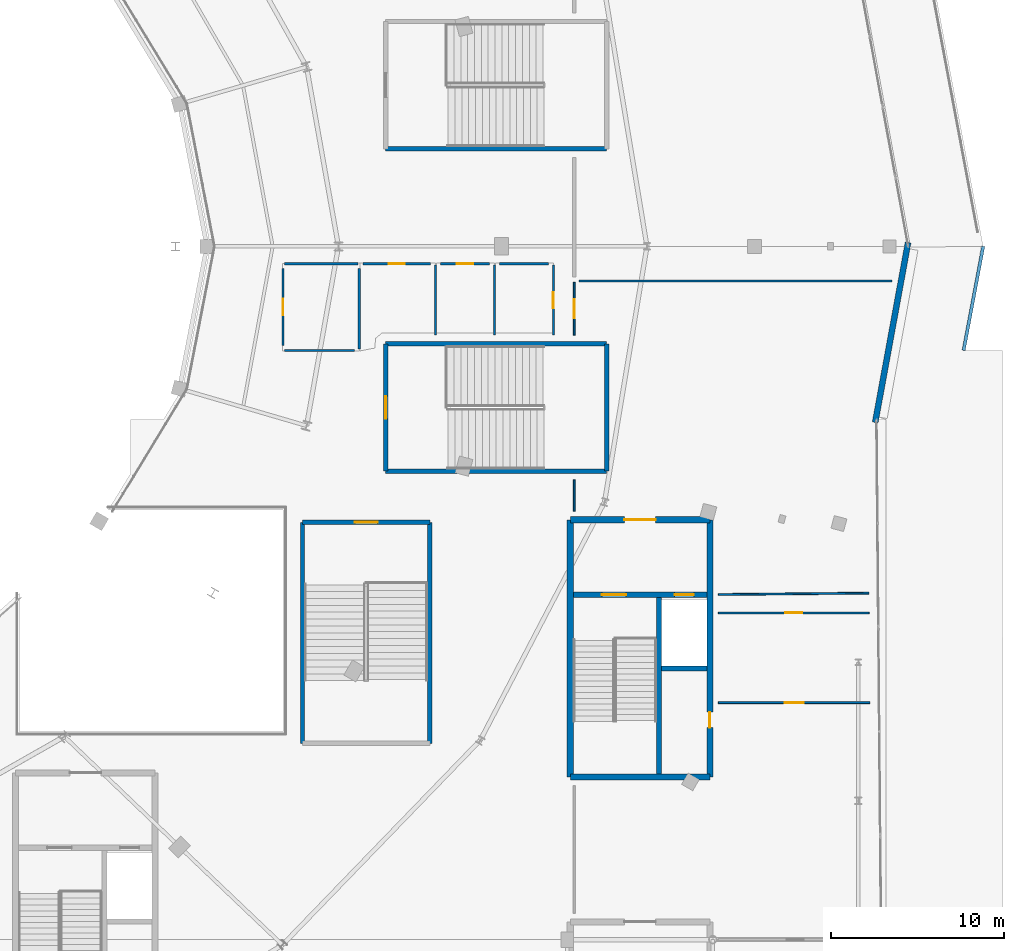
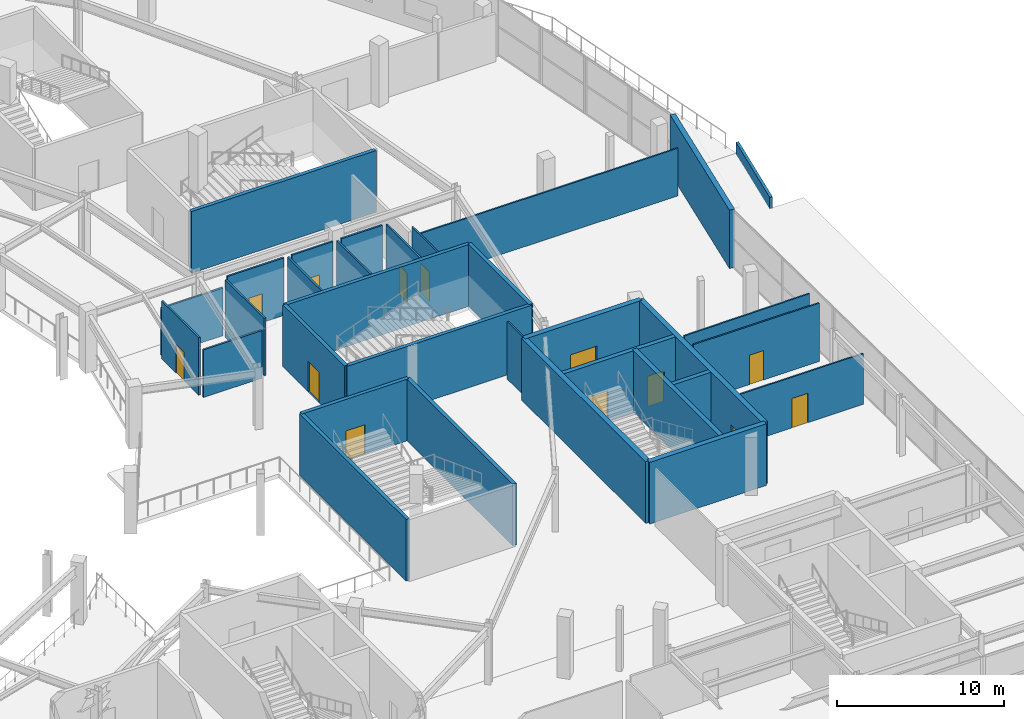
# One storey, part 81 of 107: 33 walls, 13 doors, 13 openings.
"""IFC4 building model written with IfcOpenShell, lengths in metres."""

from ifc_helpers import new_model, si_unit, direction, frame, frame_2d, origin, place, context, subcontext, project, spatial, rectangle, extrude, material, layer, layer_set, type_object, element, fill, save


model = new_model("IFC4")

# Units and contexts
model_context = context("Model", 3, precision=1e-05, world=origin(), true_north=direction((0.0, 1.0)))
body_context = subcontext(model_context, "Body", "Model", "MODEL_VIEW")
ifc_project = project(units=[si_unit("LENGTHUNIT", "METRE"), si_unit("AREAUNIT", "SQUARE_METRE"), si_unit("VOLUMEUNIT", "CUBIC_METRE"), si_unit("PLANEANGLEUNIT", "RADIAN"), si_unit("MASSUNIT", "GRAM", prefix="KILO")], contexts=[model_context])

# Site, building, storey
site_placement = place(None, origin())
site = spatial("IfcSite", under=ifc_project, at=site_placement, CompositionType="ELEMENT")
building_placement = place(site_placement, origin())
building = spatial("IfcBuilding", under=site, at=building_placement, Name="Kalgoora Escarpment Arena", CompositionType="ELEMENT")
storey_placement = place(building_placement, frame((0.0, 0.0, 5.39990234375)))
storey = spatial("IfcBuildingStorey", under=building, at=storey_placement, Name="L01", CompositionType="ELEMENT", Elevation=5.39990234375)

# Wall
ifc_material_1 = material(Name="Concrete N50 (fc' 50 MPa)", Category="concrete")
ifc_layer_1 = layer(ifc_material_1, 0.35009765625)
ifc_layer_set_1 = layer_set([ifc_layer_1], Name="WAL-CORE-350")
wall_type_1 = type_object("IfcWallType", Name="WAL-CORE-350", PredefinedType="SHEAR", material=ifc_layer_set_1)
wall_1_placement = place(storey_placement, frame((159.77490234375, 33.375, 0.0), z_axis=(0.0, 0.0, 1.0), x_axis=(1.0, 0.0, 0.0)))
element("IfcWall", 1, at=wall_1_placement, inside=storey, type_object=wall_type_1, Name="Core C7 L01 south shear wall", PredefinedType="SHEAR", context=body_context, shape_type="SweptSolid", body=[
    extrude(rectangle(XDim=8.050048828125, YDim=0.35009765625, at=frame_2d((4.02490234375, 0.0))), origin(), (0.0, 0.0, 1.0), 4.5),
])

# Wall, opening, door
wall_2_placement = place(storey_placement, frame((159.77490234375, 48.22509765625, 0.0), z_axis=(0.0, 0.0, 1.0), x_axis=(1.0, 0.0, 0.0)))
wall_2 = element("IfcWall", 2, at=wall_2_placement, inside=storey, type_object=wall_type_1, Name="Core C7 L01 north lobby wall", PredefinedType="SHEAR", context=body_context, shape_type="SweptSolid", body=[
    extrude(rectangle(XDim=8.050048828125, YDim=0.35009765625, at=frame_2d((4.02490234375, 0.0))), origin(), (0.0, 0.0, 1.0), 4.5),
])
opening_1_placement = place(wall_2_placement, frame((3.125, 0.0, 0.0)))
opening_1 = element("IfcOpeningElement", 3, at=opening_1_placement, cuts=wall_2, Name="Opening FD-C7L", PredefinedType="OPENING", context=body_context, shape_type="SweptSolid", body=[
    extrude(rectangle(XDim=1.800048828125, YDim=2.25, at=frame_2d((0.89990234375, 1.125))), frame((0.0, 0.18505859375, 0.0), z_axis=(0.0, -1.0, 0.0), x_axis=(1.0, 0.0, 0.0)), (0.0, 0.0, 1.0), 0.3701171875),
])
ifc_material_2 = material(Name="Double fire-rated smoke-seal lobby door")
door_type_1 = type_object("IfcDoorType", Name="DR-LOBBY-1800", OperationType="NOTDEFINED", PredefinedType="DOOR", material=ifc_material_2)
door_1_placement = place(opening_1_placement, origin())
door_1 = element("IfcDoor", 4, at=door_1_placement, inside=storey, type_object=door_type_1, Name="Core C7 L01 smoke-lobby fire door", OperationType="DOUBLE_DOOR_SINGLE_SWING", OverallHeight=2.25, OverallWidth=1.800048828125, PredefinedType="DOOR", context=body_context, shape_type="SweptSolid", body=[
    extrude(rectangle(XDim=1.800048828125, YDim=2.25, at=frame_2d((0.89990234375, 1.125))), frame((0.0, 0.02490234375, 0.0), z_axis=(0.0, -1.0, 0.0), x_axis=(1.0, 0.0, 0.0)), (0.0, 0.0, 1.0), 0.050048828125),
])
fill(opening_1, door_1)

# Wall
wall_3_placement = place(storey_placement, frame((159.77490234375, 33.375, 0.0), z_axis=(0.0, 0.0, 1.0), x_axis=(0.0, 1.0, 0.0)))
element("IfcWall", 5, at=wall_3_placement, inside=storey, type_object=wall_type_1, Name="Core C7 L01 west shear wall", PredefinedType="SHEAR", context=body_context, shape_type="SweptSolid", body=[
    extrude(rectangle(XDim=14.85009765625, YDim=0.35009765625, at=frame_2d((7.425048828125, 0.0))), origin(), (0.0, 0.0, 1.0), 4.5),
])

# Wall, opening, door
wall_4_placement = place(storey_placement, frame((167.824951171875, 33.375, 0.0), z_axis=(0.0, 0.0, 1.0), x_axis=(0.0, 1.0, 0.0)))
wall_4 = element("IfcWall", 6, at=wall_4_placement, inside=storey, type_object=wall_type_1, Name="Core C7 L01 east shear wall", PredefinedType="SHEAR", context=body_context, shape_type="SweptSolid", body=[
    extrude(rectangle(XDim=14.85009765625, YDim=0.35009765625, at=frame_2d((7.425048828125, 0.0))), origin(), (0.0, 0.0, 1.0), 4.5),
])
opening_2_placement = place(wall_4_placement, frame((2.85498046875, 0.0, 0.0)))
opening_2 = element("IfcOpeningElement", 7, at=opening_2_placement, cuts=wall_4, Name="Opening FD-C7R", PredefinedType="OPENING", context=body_context, shape_type="SweptSolid", body=[
    extrude(rectangle(XDim=0.89990234375, YDim=2.10009765625, at=frame_2d((0.449951171875, 1.050048828125))), frame((0.0, 0.18505859375, 0.0), z_axis=(0.0, -1.0, 0.0), x_axis=(1.0, 0.0, 0.0)), (0.0, 0.0, 1.0), 0.3701171875),
])
ifc_material_3 = material(Name="Fire-rated steel riser access door", Category="steel")
door_type_2 = type_object("IfcDoorType", Name="DR-RISER-0900", OperationType="NOTDEFINED", PredefinedType="DOOR", material=ifc_material_3)
door_2_placement = place(opening_2_placement, origin())
door_2 = element("IfcDoor", 8, at=door_2_placement, inside=storey, type_object=door_type_2, Name="Core C7 L01 riser cupboard access door", OperationType="SINGLE_SWING_RIGHT", OverallHeight=2.10009765625, OverallWidth=0.89990234375, PredefinedType="DOOR", context=body_context, shape_type="SweptSolid", body=[
    extrude(rectangle(XDim=0.89990234375, YDim=2.10009765625, at=frame_2d((0.449951171875, 1.050048828125))), frame((0.0, 0.02490234375, 0.0), z_axis=(0.0, -1.0, 0.0), x_axis=(1.0, 0.0, 0.0)), (0.0, 0.0, 1.0), 0.050048828125),
])
fill(opening_2, door_2)

# Wall
ifc_material_4 = material(Name="Fluted Art Deco precast concrete 40 MPa", Category="concrete")
ifc_layer_2 = layer(ifc_material_4, 0.340087890625)
ifc_layer_set_2 = layer_set([ifc_layer_2], Name="WAL-EXT-340")
wall_type_2 = type_object("IfcWallType", Name="WAL-EXT-340", PredefinedType="SOLIDWALL", material=ifc_layer_set_2)
wall_5_placement = place(storey_placement, frame((179.268310546875, 64.224609375, 0.0), z_axis=(0.0, 0.0, 1.0), x_axis=(-0.179977817545, -0.983670669072, 0.0)))
element("IfcWall", 9, at=wall_5_placement, inside=storey, type_object=wall_type_2, Name="L01 limestone-faced external wall 039", PredefinedType="SOLIDWALL", context=body_context, shape_type="SweptSolid", body=[
    extrude(rectangle(XDim=10.560302734375, YDim=0.340087890625, at=frame_2d((5.2802734375, 0.0))), origin(), (0.0, 0.0, 1.0), 4.260009765625),
])

# Wall, opening, door
ifc_material_5 = material(Name="Framed acoustic studio partition", Category="gypsum")
ifc_layer_3 = layer(ifc_material_5, 0.10498046875)
ifc_layer_set_3 = layer_set([ifc_layer_3], Name="WAL-GLZ-105")
wall_type_3 = type_object("IfcWallType", Name="WAL-GLZ-105", PredefinedType="PARTITIONING", material=ifc_layer_set_3)
wall_6_placement = place(storey_placement, frame((168.324951171875, 37.675048828125, 0.0), z_axis=(0.0, 0.0, 1.0), x_axis=(1.0, 0.0, 0.0)))
wall_6 = element("IfcWall", 10, at=wall_6_placement, inside=storey, type_object=wall_type_3, Name="L01 Community Room partition wall", PredefinedType="PARTITIONING", context=body_context, shape_type="SweptSolid", body=[
    extrude(rectangle(XDim=8.741455078125, YDim=0.10498046875, at=frame_2d((4.37060546875, 0.0))), origin(), (0.0, 0.0, 1.0), 3.7021484375),
])
opening_3_placement = place(wall_6_placement, frame((3.830810546875, 0.0, 0.0)))
opening_3 = element("IfcOpeningElement", 11, at=opening_3_placement, cuts=wall_6, Name="Opening FD-I061", PredefinedType="OPENING", context=body_context, shape_type="SweptSolid", body=[
    extrude(rectangle(XDim=1.080078125, YDim=2.14990234375, at=frame_2d((0.5400390625, 1.074951171875))), frame((0.0, 0.0625, 0.0), z_axis=(0.0, -1.0, 0.0), x_axis=(1.0, 0.0, 0.0)), (0.0, 0.0, 1.0), 0.125),
])
ifc_material_6 = material(Name="Solid-core acoustic timber door", Category="wood")
door_type_3 = type_object("IfcDoorType", Name="DR-GEN-1080", OperationType="NOTDEFINED", PredefinedType="DOOR", material=ifc_material_6)
door_3_placement = place(opening_3_placement, origin())
door_3 = element("IfcDoor", 12, at=door_3_placement, inside=storey, type_object=door_type_3, Name="Community Room 2 entrance door", OperationType="SINGLE_SWING_RIGHT", OverallHeight=2.14990234375, OverallWidth=1.080078125, PredefinedType="DOOR", context=body_context, shape_type="SweptSolid", body=[
    extrude(rectangle(XDim=1.080078125, YDim=2.14990234375, at=frame_2d((0.5400390625, 1.074951171875))), frame((0.0, 0.02490234375, 0.0), z_axis=(0.0, -1.0, 0.0), x_axis=(1.0, 0.0, 0.0)), (0.0, 0.0, 1.0), 0.050048828125),
])
fill(opening_3, door_3)

wall_7_placement = place(storey_placement, frame((168.324951171875, 42.85009765625, 0.0), z_axis=(0.0, 0.0, 1.0), x_axis=(1.0, 0.0, 0.0)))
wall_7 = element("IfcWall", 13, at=wall_7_placement, inside=storey, type_object=wall_type_3, Name="L01 Community Room 2 partition wall", PredefinedType="PARTITIONING", context=body_context, shape_type="SweptSolid", body=[
    extrude(rectangle(XDim=8.695068359375, YDim=0.10498046875, at=frame_2d((4.34765625, 0.0))), origin(), (0.0, 0.0, 1.0), 4.260009765625),
])
opening_4_placement = place(wall_7_placement, frame((3.857666015625, 0.0, 0.0)))
opening_4 = element("IfcOpeningElement", 14, at=opening_4_placement, cuts=wall_7, Name="Opening D-I062", PredefinedType="OPENING", context=body_context, shape_type="SweptSolid", body=[
    extrude(rectangle(XDim=0.97998046875, YDim=2.14990234375, at=frame_2d((0.489990234375, 1.074951171875))), frame((0.0, 0.0625, 0.0), z_axis=(0.0, -1.0, 0.0), x_axis=(1.0, 0.0, 0.0)), (0.0, 0.0, 1.0), 0.125),
])
ifc_material_7 = material(Name="Solid-core acoustic timber door", Category="wood")
door_type_4 = type_object("IfcDoorType", Name="DR-GEN-0980", OperationType="NOTDEFINED", PredefinedType="DOOR", material=ifc_material_7)
door_4_placement = place(opening_4_placement, origin())
door_4 = element("IfcDoor", 15, at=door_4_placement, inside=storey, type_object=door_type_4, Name="Community Room 3 entrance door", OperationType="SINGLE_SWING_LEFT", OverallHeight=2.14990234375, OverallWidth=0.97998046875, PredefinedType="DOOR", context=body_context, shape_type="SweptSolid", body=[
    extrude(rectangle(XDim=0.97998046875, YDim=2.14990234375, at=frame_2d((0.489990234375, 1.074951171875))), frame((0.0, 0.02490234375, 0.0), z_axis=(0.0, -1.0, 0.0), x_axis=(1.0, 0.0, 0.0)), (0.0, 0.0, 1.0), 0.050048828125),
])
fill(opening_4, door_4)

# Wall
wall_8_placement = place(storey_placement, frame((168.324951171875, 43.90966796875, 0.0), z_axis=(0.0, 0.0, 1.0), x_axis=(0.999954329824, 0.00955710553, 0.0)))
element("IfcWall", 16, at=wall_8_placement, inside=storey, type_object=wall_type_3, Name="L01 Community Room 3 partition wall", PredefinedType="PARTITIONING", context=body_context, shape_type="SweptSolid", body=[
    extrude(rectangle(XDim=8.685546875, YDim=0.10498046875, at=frame_2d((4.3427734375, 0.0))), origin(), (0.0, 0.0, 1.0), 4.260009765625),
])

# Wall, opening, door
wall_9_placement = place(storey_placement, frame((160.0, 58.875, 0.0), z_axis=(0.0, 0.0, 1.0), x_axis=(0.0, 1.0, 0.0)))
wall_9 = element("IfcWall", 17, at=wall_9_placement, inside=storey, type_object=wall_type_3, Name="L01 Youth Sports Classroom partition wall", PredefinedType="PARTITIONING", context=body_context, shape_type="SweptSolid", body=[
    extrude(rectangle(XDim=3.044921875, YDim=0.10498046875, at=frame_2d((1.5224609375, 0.0))), origin(), (0.0, 0.0, 1.0), 4.2001953125),
])
opening_5_placement = place(wall_9_placement, frame((0.982421875, 0.0, 0.0)))
opening_5 = element("IfcOpeningElement", 18, at=opening_5_placement, cuts=wall_9, Name="Opening FD-I063", PredefinedType="OPENING", context=body_context, shape_type="SweptSolid", body=[
    extrude(rectangle(XDim=1.080078125, YDim=2.14990234375, at=frame_2d((0.5400390625, 1.074951171875))), frame((0.0, 0.0625, 0.0), z_axis=(0.0, -1.0, 0.0), x_axis=(1.0, 0.0, 0.0)), (0.0, 0.0, 1.0), 0.125),
])
door_5_placement = place(opening_5_placement, origin())
door_5 = element("IfcDoor", 19, at=door_5_placement, inside=storey, type_object=door_type_3, Name="Youth Sports Classroom entrance door", OperationType="SINGLE_SWING_RIGHT", OverallHeight=2.14990234375, OverallWidth=1.080078125, PredefinedType="DOOR", context=body_context, shape_type="SweptSolid", body=[
    extrude(rectangle(XDim=1.080078125, YDim=2.14990234375, at=frame_2d((0.5400390625, 1.074951171875))), frame((0.0, 0.02490234375, 0.0), z_axis=(0.0, -1.0, 0.0), x_axis=(1.0, 0.0, 0.0)), (0.0, 0.0, 1.0), 0.050048828125),
])
fill(opening_5, door_5)

# Walls
wall_10_placement = place(storey_placement, frame((160.284912109375, 62.0, 0.0), z_axis=(0.0, 0.0, 1.0), x_axis=(1.0, 0.0, 0.0)))
element("IfcWall", 20, at=wall_10_placement, inside=storey, type_object=wall_type_3, Name="L01 Youth Sports Classroom partition wall", PredefinedType="PARTITIONING", context=body_context, shape_type="SweptSolid", body=[
    extrude(rectangle(XDim=18.038818359375, YDim=0.10498046875, at=frame_2d((9.01953125, 0.0))), origin(), (0.0, 0.0, 1.0), 3.47509765625),
])
wall_11_placement = place(storey_placement, frame((160.0, 48.72509765625, 0.0), z_axis=(0.0, 0.0, 1.0), x_axis=(0.0, 1.0, 0.0)))
element("IfcWall", 21, at=wall_11_placement, inside=storey, type_object=wall_type_3, Name="L01 Youth Sports Classroom partition wall", PredefinedType="PARTITIONING", context=body_context, shape_type="SweptSolid", body=[
    extrude(rectangle(XDim=1.7998046875, YDim=0.10498046875, at=frame_2d((0.89990234375, 0.0))), origin(), (0.0, 0.0, 1.0), 4.2001953125),
])
ifc_material_8 = material(Name="Stepped ziggurat roof parapet Concrete N40 (fc' 40 MPa)", Category="concrete")
ifc_layer_4 = layer(ifc_material_8, 0.18505859375)
ifc_layer_set_4 = layer_set([ifc_layer_4], Name="WAL-PAR-185")
wall_type_4 = type_object("IfcWallType", Name="WAL-PAR-185", PredefinedType="PARAPET", material=ifc_layer_set_4)
wall_12_placement = place(storey_placement, frame((183.60009765625, 64.0, 0.0), z_axis=(0.0, 0.0, 1.0), x_axis=(-0.184983824946, -0.982741565473, 0.0)))
element("IfcWall", 22, at=wall_12_placement, inside=storey, type_object=wall_type_4, Name="L01 stepped ziggurat limestone parapet 002", PredefinedType="PARAPET", context=body_context, shape_type="SweptSolid", body=[
    extrude(rectangle(XDim=6.10546875, YDim=0.18505859375, at=frame_2d((3.052734375, 0.0))), origin(), (0.0, 0.0, 1.0), 0.85009765625),
])

# Wall, openings, doors
ifc_material_9 = material(Name="Concrete N50 (fc' 50 MPa)", Category="concrete")
ifc_layer_5 = layer(ifc_material_9, 0.300048828125)
ifc_layer_set_5 = layer_set([ifc_layer_5], Name="WAL-SHAFT-300")
wall_type_5 = type_object("IfcWallType", Name="WAL-SHAFT-300", PredefinedType="SHEAR", material=ifc_layer_set_5)
wall_13_placement = place(storey_placement, frame((159.949951171875, 43.89990234375, 0.0), z_axis=(0.0, 0.0, 1.0), x_axis=(1.0, 0.0, 0.0)))
wall_13 = element("IfcWall", 23, at=wall_13_placement, inside=storey, type_object=wall_type_5, Name="Core C7 L01 lobby shaft wall", PredefinedType="SHEAR", context=body_context, shape_type="SweptSolid", body=[
    extrude(rectangle(XDim=7.699951171875, YDim=0.300048828125, at=frame_2d((3.85009765625, 0.0))), origin(), (0.0, 0.0, 1.0), 4.5),
])
opening_6_placement = place(wall_13_placement, frame((1.64990234375, 0.0, 0.0)))
opening_6 = element("IfcOpeningElement", 24, at=opening_6_placement, cuts=wall_13, Name="Opening FD-ST07", PredefinedType="OPENING", context=body_context, shape_type="SweptSolid", body=[
    extrude(rectangle(XDim=1.39990234375, YDim=2.199951171875, at=frame_2d((0.699951171875, 1.10009765625))), frame((0.0, 0.159912109375, 0.0), z_axis=(0.0, -1.0, 0.0), x_axis=(1.0, 0.0, 0.0)), (0.0, 0.0, 1.0), 0.320068359375),
])
opening_7_placement = place(wall_13_placement, frame((5.85009765625, 0.0, 0.0)))
opening_7 = element("IfcOpeningElement", 25, at=opening_7_placement, cuts=wall_13, Name="Opening LD-GL1", PredefinedType="OPENING", context=body_context, shape_type="SweptSolid", body=[
    extrude(rectangle(XDim=1.10009765625, YDim=2.199951171875, at=frame_2d((0.550048828125, 1.10009765625))), frame((0.0, 0.159912109375, 0.0), z_axis=(0.0, -1.0, 0.0), x_axis=(1.0, 0.0, 0.0)), (0.0, 0.0, 1.0), 0.320068359375),
])
ifc_material_10 = material(Name="Brushed stainless steel sliding lift landing door", Category="steel")
door_type_5 = type_object("IfcDoorType", Name="DR-LD-GL1", OperationType="SLIDING_TO_LEFT", PredefinedType="DOOR", material=ifc_material_10)
door_6_placement = place(opening_7_placement, origin())
door_6 = element("IfcDoor", 26, at=door_6_placement, inside=storey, type_object=door_type_5, Name="Lift GL1 L01 sliding landing door", OperationType="SLIDING_TO_LEFT", OverallHeight=2.199951171875, OverallWidth=1.10009765625, PredefinedType="DOOR", context=body_context, shape_type="SweptSolid", body=[
    extrude(rectangle(XDim=1.10009765625, YDim=2.199951171875, at=frame_2d((0.550048828125, 1.10009765625))), frame((0.0, 0.02490234375, 0.0), z_axis=(0.0, -1.0, 0.0), x_axis=(1.0, 0.0, 0.0)), (0.0, 0.0, 1.0), 0.050048828125),
])
fill(opening_7, door_6)
ifc_material_11 = material(Name="Fire-rated steel stair leaf with vision panel", Category="steel")
door_type_6 = type_object("IfcDoorType", Name="DR-STAIR-1400", OperationType="NOTDEFINED", PredefinedType="DOOR", material=ifc_material_11)
door_7_placement = place(opening_6_placement, origin())
door_7 = element("IfcDoor", 27, at=door_7_placement, inside=storey, type_object=door_type_6, Name="Fire stair ST07 L01 fire door", OperationType="SINGLE_SWING_LEFT", OverallHeight=2.199951171875, OverallWidth=1.39990234375, PredefinedType="DOOR", context=body_context, shape_type="SweptSolid", body=[
    extrude(rectangle(XDim=1.39990234375, YDim=2.199951171875, at=frame_2d((0.699951171875, 1.10009765625))), frame((0.0, 0.02490234375, 0.0), z_axis=(0.0, -1.0, 0.0), x_axis=(1.0, 0.0, 0.0)), (0.0, 0.0, 1.0), 0.050048828125),
])
fill(opening_6, door_7)

# Walls
wall_14_placement = place(storey_placement, frame((164.89990234375, 33.550048828125, 0.0), z_axis=(0.0, 0.0, 1.0), x_axis=(0.0, 1.0, 0.0)))
element("IfcWall", 28, at=wall_14_placement, inside=storey, type_object=wall_type_5, Name="Core C7 L01 stair-lift spine wall", PredefinedType="SHEAR", context=body_context, shape_type="SweptSolid", body=[
    extrude(rectangle(XDim=10.349853515625, YDim=0.300048828125, at=frame_2d((5.1748046875, 0.0))), origin(), (0.0, 0.0, 1.0), 4.5),
])
wall_15_placement = place(storey_placement, frame((165.050048828125, 39.64990234375, 0.0), z_axis=(0.0, 0.0, 1.0), x_axis=(1.0, 0.0, 0.0)))
element("IfcWall", 29, at=wall_15_placement, inside=storey, type_object=wall_type_5, Name="Core C7 L01 lift-riser divider wall", PredefinedType="SHEAR", context=body_context, shape_type="SweptSolid", body=[
    extrude(rectangle(XDim=2.599853515625, YDim=0.300048828125, at=frame_2d((1.2998046875, 0.0))), origin(), (0.0, 0.0, 1.0), 4.5),
])
ifc_material_12 = material(Name="Concrete N50 (fc' 50 MPa)", Category="concrete")
ifc_layer_6 = layer(ifc_material_12, 0.25)
ifc_layer_set_6 = layer_set([ifc_layer_6], Name="WAL-STAIR-250")
wall_type_6 = type_object("IfcWallType", Name="WAL-STAIR-250", PredefinedType="SHEAR", material=ifc_layer_set_6)
for number, where, z_axis, x_axis, name in (
    (30, (149.125, 69.625, 0.0), (0.0, 0.0, 1.0), (1.0, 0.0, 0.0), "Exit stair ST21 L01 south wall"),
    (31, (149.125, 51.02490234375, 0.0), (0.0, 0.0, 1.0), (1.0, 0.0, 0.0), "Exit stair ST22 L01 south wall"),
    (32, (149.125, 58.375, 0.0), (0.0, 0.0, 1.0), (1.0, 0.0, 0.0), "Exit stair ST22 L01 north wall"),
):
    element("IfcWall", number, at=place(storey_placement, frame(where, z_axis=z_axis, x_axis=x_axis)), inside=storey, type_object=wall_type_6, Name=name, PredefinedType="SHEAR", context=body_context, shape_type="SweptSolid", body=[
        extrude(rectangle(XDim=12.75, YDim=0.25, at=frame_2d((6.375, 0.0))), origin(), (0.0, 0.0, 1.0), 4.5),
    ])

# Wall, opening, door
wall_16_placement = place(storey_placement, frame((149.125, 51.02490234375, 0.0), z_axis=(0.0, 0.0, 1.0), x_axis=(0.0, 1.0, 0.0)))
wall_16 = element("IfcWall", 33, at=wall_16_placement, inside=storey, type_object=wall_type_6, Name="Exit stair ST22 L01 west wall", PredefinedType="SHEAR", context=body_context, shape_type="SweptSolid", body=[
    extrude(rectangle(XDim=7.35009765625, YDim=0.25, at=frame_2d((3.675048828125, 0.0))), origin(), (0.0, 0.0, 1.0), 4.5),
])
opening_8_placement = place(wall_16_placement, frame((3.014892578125, 0.0, 0.0)))
opening_8 = element("IfcOpeningElement", 34, at=opening_8_placement, cuts=wall_16, Name="Opening FD-ST22", PredefinedType="OPENING", context=body_context, shape_type="SweptSolid", body=[
    extrude(rectangle(XDim=1.320068359375, YDim=2.199951171875, at=frame_2d((0.66015625, 1.10009765625))), frame((0.0, 0.135009765625, 0.0), z_axis=(0.0, -1.0, 0.0), x_axis=(1.0, 0.0, 0.0)), (0.0, 0.0, 1.0), 0.27001953125),
])
ifc_material_13 = material(Name="Fire-rated steel stair leaf with vision panel", Category="steel")
door_type_7 = type_object("IfcDoorType", Name="DR-STAIR-1320", OperationType="NOTDEFINED", PredefinedType="DOOR", material=ifc_material_13)
door_8_placement = place(opening_8_placement, origin())
door_8 = element("IfcDoor", 35, at=door_8_placement, inside=storey, type_object=door_type_7, Name="Fire-isolated stair ST22 L01 egress door", OperationType="SINGLE_SWING_LEFT", OverallHeight=2.199951171875, OverallWidth=1.320068359375, PredefinedType="DOOR", context=body_context, shape_type="SweptSolid", body=[
    extrude(rectangle(XDim=1.320068359375, YDim=2.199951171875, at=frame_2d((0.66015625, 1.10009765625))), frame((0.0, 0.02490234375, 0.0), z_axis=(0.0, -1.0, 0.0), x_axis=(1.0, 0.0, 0.0)), (0.0, 0.0, 1.0), 0.050048828125),
])
fill(opening_8, door_8)

# Wall
wall_17_placement = place(storey_placement, frame((161.875, 51.02490234375, 0.0), z_axis=(0.0, 0.0, 1.0), x_axis=(0.0, 1.0, 0.0)))
element("IfcWall", 36, at=wall_17_placement, inside=storey, type_object=wall_type_6, Name="Exit stair ST22 L01 east wall", PredefinedType="SHEAR", context=body_context, shape_type="SweptSolid", body=[
    extrude(rectangle(XDim=7.35009765625, YDim=0.25, at=frame_2d((3.675048828125, 0.0))), origin(), (0.0, 0.0, 1.0), 4.5),
])

# Wall, opening, door
wall_18_placement = place(storey_placement, frame((144.324951171875, 48.074951171875, 0.0), z_axis=(0.0, 0.0, 1.0), x_axis=(1.0, 0.0, 0.0)))
wall_18 = element("IfcWall", 37, at=wall_18_placement, inside=storey, type_object=wall_type_6, Name="Exit stair ST24 L01 north wall", PredefinedType="SHEAR", context=body_context, shape_type="SweptSolid", body=[
    extrude(rectangle(XDim=7.35009765625, YDim=0.25, at=frame_2d((3.675048828125, 0.0))), origin(), (0.0, 0.0, 1.0), 4.5),
])
opening_9_placement = place(wall_18_placement, frame((3.014892578125, 0.0, 0.0)))
opening_9 = element("IfcOpeningElement", 38, at=opening_9_placement, cuts=wall_18, Name="Opening FD-ST24", PredefinedType="OPENING", context=body_context, shape_type="SweptSolid", body=[
    extrude(rectangle(XDim=1.320068359375, YDim=2.199951171875, at=frame_2d((0.66015625, 1.10009765625))), frame((0.0, 0.135009765625, 0.0), z_axis=(0.0, -1.0, 0.0), x_axis=(1.0, 0.0, 0.0)), (0.0, 0.0, 1.0), 0.27001953125),
])
door_9_placement = place(opening_9_placement, origin())
door_9 = element("IfcDoor", 39, at=door_9_placement, inside=storey, type_object=door_type_7, Name="Fire-isolated stair ST24 L01 egress door", OperationType="SINGLE_SWING_LEFT", OverallHeight=2.199951171875, OverallWidth=1.320068359375, PredefinedType="DOOR", context=body_context, shape_type="SweptSolid", body=[
    extrude(rectangle(XDim=1.320068359375, YDim=2.199951171875, at=frame_2d((0.66015625, 1.10009765625))), frame((0.0, 0.02490234375, 0.0), z_axis=(0.0, -1.0, 0.0), x_axis=(1.0, 0.0, 0.0)), (0.0, 0.0, 1.0), 0.050048828125),
])
fill(opening_9, door_9)

# Walls
for number, where, z_axis, x_axis, name in (
    (40, (144.324951171875, 35.324951171875, 0.0), (0.0, 0.0, 1.0), (0.0, 1.0, 0.0), "Exit stair ST24 L01 west wall"),
    (41, (151.675048828125, 35.324951171875, 0.0), (0.0, 0.0, 1.0), (0.0, 1.0, 0.0), "Exit stair ST24 L01 east wall"),
):
    element("IfcWall", number, at=place(storey_placement, frame(where, z_axis=z_axis, x_axis=x_axis)), inside=storey, type_object=wall_type_6, Name=name, PredefinedType="SHEAR", context=body_context, shape_type="SweptSolid", body=[
        extrude(rectangle(XDim=12.75, YDim=0.25, at=frame_2d((6.375, 0.0))), origin(), (0.0, 0.0, 1.0), 4.5),
    ])
ifc_material_14 = material(Name="Moisture-resistant wet-area partition", Category="gypsum")
ifc_layer_7 = layer(ifc_material_14, 0.125)
ifc_layer_set_7 = layer_set([ifc_layer_7], Name="WAL-WC-125")
wall_type_7 = type_object("IfcWallType", Name="WAL-WC-125", PredefinedType="PARTITIONING", material=ifc_layer_set_7)
wall_19_placement = place(storey_placement, frame((143.280029296875, 63.0, 0.0), z_axis=(0.0, 0.0, 1.0), x_axis=(1.0, 0.0, 0.0)))
element("IfcWall", 42, at=wall_19_placement, inside=storey, type_object=wall_type_7, Name="L01 Male WC 2 partition wall", PredefinedType="PARTITIONING", context=body_context, shape_type="SweptSolid", body=[
    extrude(rectangle(XDim=4.239990234375, YDim=0.125, at=frame_2d((2.1201171875, 0.0))), origin(), (0.0, 0.0, 1.0), 3.47509765625),
])
wall_20_placement = place(storey_placement, frame((147.60009765625, 62.715087890625, 0.0), z_axis=(0.0, 0.0, 1.0), x_axis=(0.0, -1.0, 0.0)))
element("IfcWall", 43, at=wall_20_placement, inside=storey, type_object=wall_type_7, Name="L01 Male WC 2 partition wall", PredefinedType="PARTITIONING", context=body_context, shape_type="SweptSolid", body=[
    extrude(rectangle(XDim=4.635009765625, YDim=0.125, at=frame_2d((2.3173828125, 0.0))), origin(), (0.0, 0.0, 1.0), 4.2001953125),
])
wall_21_placement = place(storey_placement, frame((147.315185546875, 58.0, 0.0), z_axis=(0.0, 0.0, 1.0), x_axis=(-1.0, 0.0, 0.0)))
element("IfcWall", 44, at=wall_21_placement, inside=storey, type_object=wall_type_7, Name="L01 Male WC 2 partition wall", PredefinedType="PARTITIONING", context=body_context, shape_type="SweptSolid", body=[
    extrude(rectangle(XDim=4.03515625, YDim=0.125, at=frame_2d((2.017578125, 0.0))), origin(), (0.0, 0.0, 1.0), 3.47509765625),
])

# Wall, opening, door
wall_22_placement = place(storey_placement, frame((143.199951171875, 58.284912109375, 0.0), z_axis=(0.0, 0.0, 1.0), x_axis=(0.0, 1.0, 0.0)))
wall_22 = element("IfcWall", 45, at=wall_22_placement, inside=storey, type_object=wall_type_7, Name="L01 Male WC 2 partition wall", PredefinedType="PARTITIONING", context=body_context, shape_type="SweptSolid", body=[
    extrude(rectangle(XDim=4.43017578125, YDim=0.125, at=frame_2d((2.215087890625, 0.0))), origin(), (0.0, 0.0, 1.0), 4.2001953125),
])
opening_10_placement = place(wall_22_placement, frame((1.740234375, 0.0, 0.0)))
opening_10 = element("IfcOpeningElement", 46, at=opening_10_placement, cuts=wall_22, Name="Opening D-I047", PredefinedType="OPENING", context=body_context, shape_type="SweptSolid", body=[
    extrude(rectangle(XDim=0.949951171875, YDim=2.10009765625, at=frame_2d((0.47509765625, 1.050048828125))), frame((0.0, 0.072509765625, 0.0), z_axis=(0.0, -1.0, 0.0), x_axis=(1.0, 0.0, 0.0)), (0.0, 0.0, 1.0), 0.14501953125),
])
ifc_material_15 = material(Name="Moisture-resistant laminate accessible WC door")
door_type_8 = type_object("IfcDoorType", Name="DR-WC-0950", OperationType="NOTDEFINED", PredefinedType="DOOR", material=ifc_material_15)
door_10_placement = place(opening_10_placement, origin())
door_10 = element("IfcDoor", 47, at=door_10_placement, inside=storey, type_object=door_type_8, Name="Male WC 2 entrance door", OperationType="SINGLE_SWING_RIGHT", OverallHeight=2.10009765625, OverallWidth=0.949951171875, PredefinedType="DOOR", context=body_context, shape_type="SweptSolid", body=[
    extrude(rectangle(XDim=0.949951171875, YDim=2.10009765625, at=frame_2d((0.47509765625, 1.050048828125))), frame((0.0, 0.02490234375, 0.0), z_axis=(0.0, -1.0, 0.0), x_axis=(1.0, 0.0, 0.0)), (0.0, 0.0, 1.0), 0.050048828125),
])
fill(opening_10, door_10)

# Wall
wall_23_placement = place(storey_placement, frame((152.0, 62.919921875, 0.0), z_axis=(0.0, 0.0, 1.0), x_axis=(0.0, -1.0, 0.0)))
element("IfcWall", 48, at=wall_23_placement, inside=storey, type_object=wall_type_7, Name="L01 Female WC 2 partition wall", PredefinedType="PARTITIONING", context=body_context, shape_type="SweptSolid", body=[
    extrude(rectangle(XDim=4.044921875, YDim=0.125, at=frame_2d((2.0224609375, 0.0))), origin(), (0.0, 0.0, 1.0), 4.2001953125),
])

# Wall, opening, door
wall_24_placement = place(storey_placement, frame((147.820068359375, 63.0, 0.0), z_axis=(0.0, 0.0, 1.0), x_axis=(1.0, 0.0, 0.0)))
wall_24 = element("IfcWall", 49, at=wall_24_placement, inside=storey, type_object=wall_type_7, Name="L01 Female WC 2 partition wall", PredefinedType="PARTITIONING", context=body_context, shape_type="SweptSolid", body=[
    extrude(rectangle(XDim=3.89501953125, YDim=0.125, at=frame_2d((1.947509765625, 0.0))), origin(), (0.0, 0.0, 1.0), 4.2001953125),
])
opening_11_placement = place(wall_24_placement, frame((1.487548828125, 0.0, 0.0)))
opening_11 = element("IfcOpeningElement", 50, at=opening_11_placement, cuts=wall_24, Name="Opening D-I048", PredefinedType="OPENING", context=body_context, shape_type="SweptSolid", body=[
    extrude(rectangle(XDim=0.919921875, YDim=2.10009765625, at=frame_2d((0.4599609375, 1.050048828125))), frame((0.0, 0.072509765625, 0.0), z_axis=(0.0, -1.0, 0.0), x_axis=(1.0, 0.0, 0.0)), (0.0, 0.0, 1.0), 0.14501953125),
])
ifc_material_16 = material(Name="Moisture-resistant laminate WC door")
door_type_9 = type_object("IfcDoorType", Name="DR-WC-0920", OperationType="NOTDEFINED", PredefinedType="DOOR", material=ifc_material_16)
door_11_placement = place(opening_11_placement, origin())
door_11 = element("IfcDoor", 51, at=door_11_placement, inside=storey, type_object=door_type_9, Name="Female WC 2 entrance door", OperationType="SINGLE_SWING_LEFT", OverallHeight=2.10009765625, OverallWidth=0.919921875, PredefinedType="DOOR", context=body_context, shape_type="SweptSolid", body=[
    extrude(rectangle(XDim=0.919921875, YDim=2.10009765625, at=frame_2d((0.4599609375, 1.050048828125))), frame((0.0, 0.02490234375, 0.0), z_axis=(0.0, -1.0, 0.0), x_axis=(1.0, 0.0, 0.0)), (0.0, 0.0, 1.0), 0.050048828125),
])
fill(opening_11, door_11)

# Wall
wall_25_placement = place(storey_placement, frame((155.39990234375, 62.919921875, 0.0), z_axis=(0.0, 0.0, 1.0), x_axis=(0.0, -1.0, 0.0)))
element("IfcWall", 52, at=wall_25_placement, inside=storey, type_object=wall_type_7, Name="L01 Accessible WC 2 partition wall", PredefinedType="PARTITIONING", context=body_context, shape_type="SweptSolid", body=[
    extrude(rectangle(XDim=4.044921875, YDim=0.125, at=frame_2d((2.0224609375, 0.0))), origin(), (0.0, 0.0, 1.0), 4.2001953125),
])

# Wall, opening, door
wall_26_placement = place(storey_placement, frame((152.284912109375, 63.0, 0.0), z_axis=(0.0, 0.0, 1.0), x_axis=(1.0, 0.0, 0.0)))
wall_26 = element("IfcWall", 53, at=wall_26_placement, inside=storey, type_object=wall_type_7, Name="L01 Accessible WC 2 partition wall", PredefinedType="PARTITIONING", context=body_context, shape_type="SweptSolid", body=[
    extrude(rectangle(XDim=2.830322265625, YDim=0.125, at=frame_2d((1.4150390625, 0.0))), origin(), (0.0, 0.0, 1.0), 4.2001953125),
])
opening_12_placement = place(wall_26_placement, frame((0.940185546875, 0.0, 0.0)))
opening_12 = element("IfcOpeningElement", 54, at=opening_12_placement, cuts=wall_26, Name="Opening D-I049", PredefinedType="OPENING", context=body_context, shape_type="SweptSolid", body=[
    extrude(rectangle(XDim=0.949951171875, YDim=2.10009765625, at=frame_2d((0.47509765625, 1.050048828125))), frame((0.0, 0.072509765625, 0.0), z_axis=(0.0, -1.0, 0.0), x_axis=(1.0, 0.0, 0.0)), (0.0, 0.0, 1.0), 0.14501953125),
])
door_12_placement = place(opening_12_placement, origin())
door_12 = element("IfcDoor", 55, at=door_12_placement, inside=storey, type_object=door_type_8, Name="Accessible WC 2 entrance door", OperationType="SINGLE_SWING_RIGHT", OverallHeight=2.10009765625, OverallWidth=0.949951171875, PredefinedType="DOOR", context=body_context, shape_type="SweptSolid", body=[
    extrude(rectangle(XDim=0.949951171875, YDim=2.10009765625, at=frame_2d((0.47509765625, 1.050048828125))), frame((0.0, 0.02490234375, 0.0), z_axis=(0.0, -1.0, 0.0), x_axis=(1.0, 0.0, 0.0)), (0.0, 0.0, 1.0), 0.050048828125),
])
fill(opening_12, door_12)

wall_27_placement = place(storey_placement, frame((158.800048828125, 62.919921875, 0.0), z_axis=(0.0, 0.0, 1.0), x_axis=(0.0, -1.0, 0.0)))
wall_27 = element("IfcWall", 56, at=wall_27_placement, inside=storey, type_object=wall_type_7, Name="L01 Staff WC 2 partition wall", PredefinedType="PARTITIONING", context=body_context, shape_type="SweptSolid", body=[
    extrude(rectangle(XDim=4.044921875, YDim=0.125, at=frame_2d((2.0224609375, 0.0))), origin(), (0.0, 0.0, 1.0), 4.2001953125),
])
opening_13_placement = place(wall_27_placement, frame((1.5625, 0.0, 0.0)))
opening_13 = element("IfcOpeningElement", 57, at=opening_13_placement, cuts=wall_27, Name="Opening D-I050", PredefinedType="OPENING", context=body_context, shape_type="SweptSolid", body=[
    extrude(rectangle(XDim=0.919921875, YDim=2.10009765625, at=frame_2d((0.4599609375, 1.050048828125))), frame((0.0, 0.072509765625, 0.0), z_axis=(0.0, -1.0, 0.0), x_axis=(1.0, 0.0, 0.0)), (0.0, 0.0, 1.0), 0.14501953125),
])
door_13_placement = place(opening_13_placement, origin())
door_13 = element("IfcDoor", 58, at=door_13_placement, inside=storey, type_object=door_type_9, Name="Staff WC 2 entrance door", OperationType="SINGLE_SWING_LEFT", OverallHeight=2.10009765625, OverallWidth=0.919921875, PredefinedType="DOOR", context=body_context, shape_type="SweptSolid", body=[
    extrude(rectangle(XDim=0.919921875, YDim=2.10009765625, at=frame_2d((0.4599609375, 1.050048828125))), frame((0.0, 0.02490234375, 0.0), z_axis=(0.0, -1.0, 0.0), x_axis=(1.0, 0.0, 0.0)), (0.0, 0.0, 1.0), 0.050048828125),
])
fill(opening_13, door_13)

# Wall
wall_28_placement = place(storey_placement, frame((155.684814453125, 63.0, 0.0), z_axis=(0.0, 0.0, 1.0), x_axis=(1.0, 0.0, 0.0)))
element("IfcWall", 59, at=wall_28_placement, inside=storey, type_object=wall_type_7, Name="L01 Staff WC 2 partition wall", PredefinedType="PARTITIONING", context=body_context, shape_type="SweptSolid", body=[
    extrude(rectangle(XDim=2.830322265625, YDim=0.125, at=frame_2d((1.4150390625, 0.0))), origin(), (0.0, 0.0, 1.0), 4.2001953125),
])

save(model, "model.ifc")
